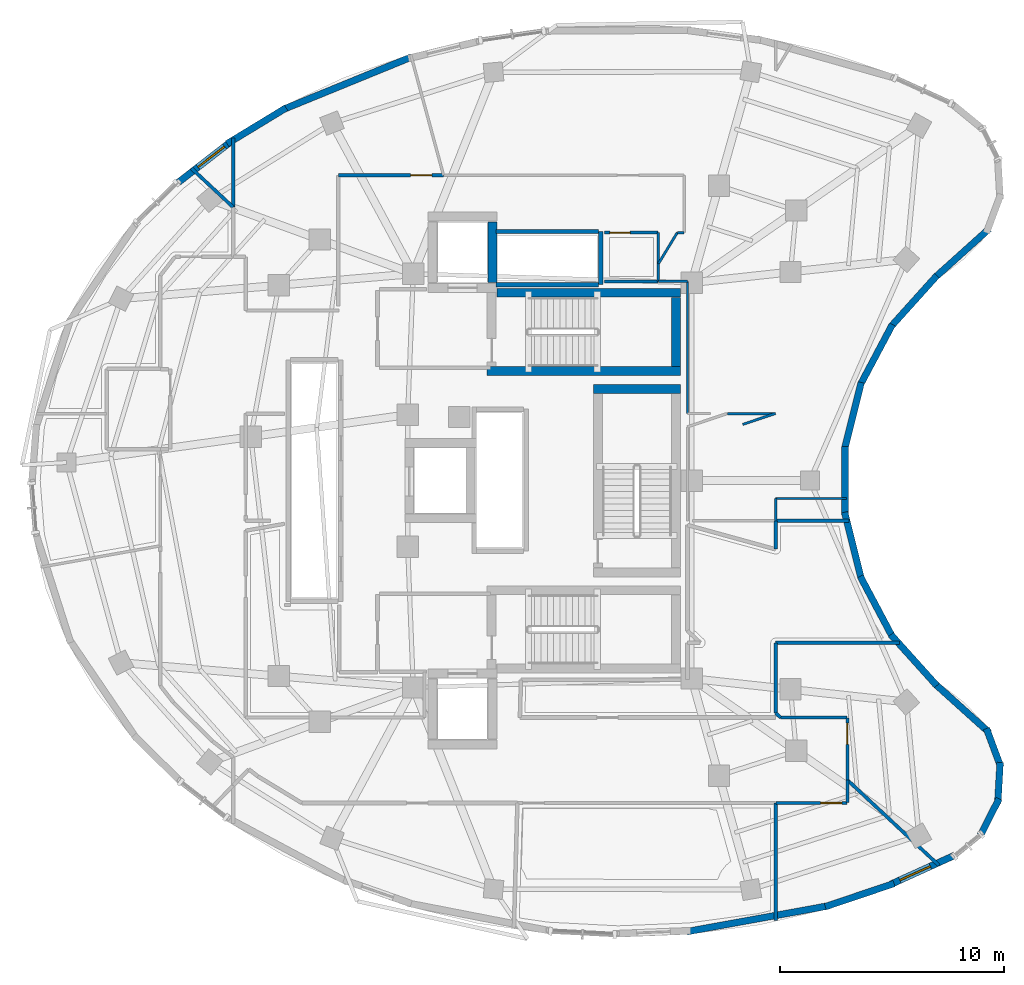
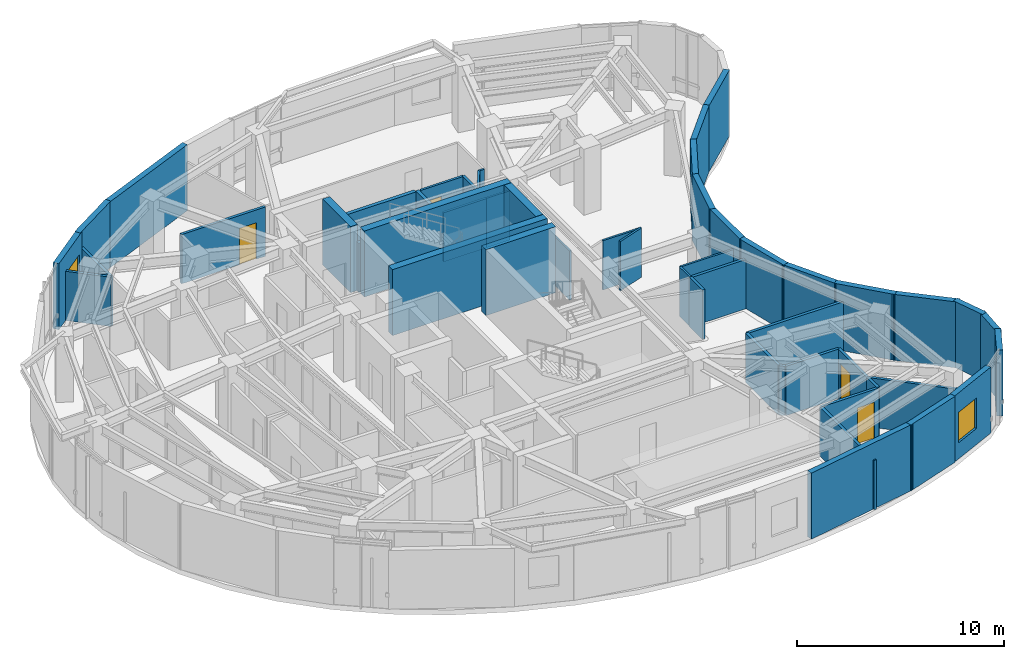
# One storey, part 9 of 13: 51 walls, 4 doors, 2 windows, 6 openings.
"""IFC4 building model written with IfcOpenShell, lengths in metres."""

from ifc_helpers import new_model, si_unit, direction, frame, frame_2d, origin, place, context, subcontext, project, spatial, rectangle, extrude, material, layer, layer_set, type_object, element, fill, save


model = new_model("IFC4")

# Units and contexts
model_context = context("Model", 3, precision=1e-05, world=origin(), true_north=direction((0.0, 1.0)))
body_context = subcontext(model_context, "Body", "Model", "MODEL_VIEW")
ifc_project = project(units=[si_unit("LENGTHUNIT", "METRE"), si_unit("AREAUNIT", "SQUARE_METRE"), si_unit("VOLUMEUNIT", "CUBIC_METRE"), si_unit("PLANEANGLEUNIT", "RADIAN"), si_unit("MASSUNIT", "GRAM", prefix="KILO")], contexts=[model_context])

# Site, building, storey
site_placement = place(None, origin())
site = spatial("IfcSite", under=ifc_project, at=site_placement, CompositionType="ELEMENT")
building_placement = place(site_placement, origin())
building = spatial("IfcBuilding", under=site, at=building_placement, Name="Korentha Bioscience Tower", CompositionType="ELEMENT")
storey_placement = place(building_placement, frame((0.0, 0.0, 260.39990234375)))
storey = spatial("IfcBuildingStorey", under=building, at=storey_placement, Name="L60", CompositionType="ELEMENT", Elevation=260.39990234375)

# Wall, opening, door
ifc_material_1 = material(Name="Double-Stud Acoustic Gypsum", Category="gypsum")
ifc_layer_1 = layer(ifc_material_1, 0.14990234375, Name="Double-Stud Acoustic Gypsum")
ifc_layer_set_1 = layer_set([ifc_layer_1], Name="Double-Stud Acoustic Gypsum (IW-L150)")
wall_type_1 = type_object("IfcWallType", Name="Acoustic Laboratory Partition Wall 150", PredefinedType="PARTITIONING", material=ifc_layer_set_1)
wall_1_placement = place(storey_placement, frame((41.30810546875, 12.590087890625, 0.0), z_axis=(0.0, 0.0, 1.0), x_axis=(1.0, 0.0, 0.0)))
wall_1 = element("IfcWall", 1, at=wall_1_placement, inside=storey, type_object=wall_type_1, Name="L60 HPLC Chromatography Room 06 Entrance Wall", PredefinedType="PARTITIONING", context=body_context, shape_type="SweptSolid", body=[
    extrude(rectangle(XDim=3.19189453125, YDim=0.14990234375, at=frame_2d((1.595947265625, 0.0))), origin(), (0.0, 0.0, 1.0), 2.91015625),
])
opening_1_placement = place(wall_1_placement, frame((2.001953125, 0.0, 0.0)))
opening_1 = element("IfcOpeningElement", 2, at=opening_1_placement, cuts=wall_1, Name="Opening ID-10R", PredefinedType="OPENING", context=body_context, shape_type="SweptSolid", body=[
    extrude(rectangle(XDim=0.949951171875, YDim=2.14990234375, at=frame_2d((0.47509765625, 1.074951171875))), frame((0.0, 0.08984375, 0.0), z_axis=(0.0, -1.0, 0.0), x_axis=(1.0, 0.0, 0.0)), (0.0, 0.0, 1.0), 0.1796875),
])
ifc_material_2 = material(Name="Phenolic Laminate Timber Core", Category="wood")
door_type_1 = type_object("IfcDoorType", Name="Laboratory Single Leaf Door 950x2150 Right", OperationType="SINGLE_SWING_RIGHT", PredefinedType="DOOR", material=ifc_material_2)
door_1_placement = place(opening_1_placement, origin())
door_1 = element("IfcDoor", 3, at=door_1_placement, inside=storey, type_object=door_type_1, Name="L60 HPLC Chromatography Room 06 Door", OperationType="SINGLE_SWING_RIGHT", OverallHeight=2.14990234375, OverallWidth=0.949951171875, PredefinedType="DOOR", context=body_context, shape_type="SweptSolid", body=[
    extrude(rectangle(XDim=0.949951171875, YDim=2.14990234375, at=frame_2d((0.47509765625, 1.074951171875))), frame((0.0, 0.02490234375, 0.0), z_axis=(0.0, -1.0, 0.0), x_axis=(1.0, 0.0, 0.0)), (0.0, 0.0, 1.0), 0.050048828125),
])
fill(opening_1, door_1)

wall_2_placement = place(storey_placement, frame((44.510009765625, 13.625244140625, 0.0), z_axis=(0.0, 0.0, 1.0), x_axis=(0.0, 1.0, 0.0)))
wall_2 = element("IfcWall", 4, at=wall_2_placement, inside=storey, type_object=wall_type_1, Name="L60 Computational Biology Open Studio 08 Entrance Wall", PredefinedType="PARTITIONING", context=body_context, shape_type="SweptSolid", body=[
    extrude(rectangle(XDim=2.774658203125, YDim=0.14990234375, at=frame_2d((1.38720703125, 0.0))), origin(), (0.0, 0.0, 1.0), 2.91015625),
])
opening_2_placement = place(wall_2_placement, frame((1.584716796875, 0.0, 0.0)))
opening_2 = element("IfcOpeningElement", 5, at=opening_2_placement, cuts=wall_2, Name="Opening ID-10R", PredefinedType="OPENING", context=body_context, shape_type="SweptSolid", body=[
    extrude(rectangle(XDim=0.949951171875, YDim=2.14990234375, at=frame_2d((0.47509765625, 1.074951171875))), frame((0.0, 0.08984375, 0.0), z_axis=(0.0, -1.0, 0.0), x_axis=(1.0, 0.0, 0.0)), (0.0, 0.0, 1.0), 0.1796875),
])
door_2_placement = place(opening_2_placement, origin())
door_2 = element("IfcDoor", 6, at=door_2_placement, inside=storey, type_object=door_type_1, Name="L60 Computational Biology Open Studio 08 Door", OperationType="SINGLE_SWING_RIGHT", OverallHeight=2.14990234375, OverallWidth=0.949951171875, PredefinedType="DOOR", context=body_context, shape_type="SweptSolid", body=[
    extrude(rectangle(XDim=0.949951171875, YDim=2.14990234375, at=frame_2d((0.47509765625, 1.074951171875))), frame((0.0, 0.02490234375, 0.0), z_axis=(0.0, -1.0, 0.0), x_axis=(1.0, 0.0, 0.0)), (0.0, 0.0, 1.0), 0.050048828125),
])
fill(opening_2, door_2)

wall_3_placement = place(storey_placement, frame((26.43994140625, 40.659912109375, 0.0), z_axis=(0.0, 0.0, 1.0), x_axis=(-1.0, 0.0, 0.0)))
wall_3 = element("IfcWall", 7, at=wall_3_placement, inside=storey, type_object=wall_type_1, Name="L60 Peer-Review Conference Room 10 Entrance Wall", PredefinedType="PARTITIONING", context=body_context, shape_type="SweptSolid", body=[
    extrude(rectangle(XDim=4.68994140625, YDim=0.14990234375, at=frame_2d((2.344970703125, 0.0))), origin(), (0.0, 0.0, 1.0), 2.91015625),
])
opening_3_placement = place(wall_3_placement, frame((0.51171875, 0.0, 0.0)))
opening_3 = element("IfcOpeningElement", 8, at=opening_3_placement, cuts=wall_3, Name="Opening ID-10R", PredefinedType="OPENING", context=body_context, shape_type="SweptSolid", body=[
    extrude(rectangle(XDim=0.949951171875, YDim=2.14990234375, at=frame_2d((0.47509765625, 1.074951171875))), frame((0.0, 0.08984375, 0.0), z_axis=(0.0, -1.0, 0.0), x_axis=(1.0, 0.0, 0.0)), (0.0, 0.0, 1.0), 0.1796875),
])
door_3_placement = place(opening_3_placement, origin())
door_3 = element("IfcDoor", 9, at=door_3_placement, inside=storey, type_object=door_type_1, Name="L60 Peer-Review Conference Room 10 Door", OperationType="SINGLE_SWING_RIGHT", OverallHeight=2.14990234375, OverallWidth=0.949951171875, PredefinedType="DOOR", context=body_context, shape_type="SweptSolid", body=[
    extrude(rectangle(XDim=0.949951171875, YDim=2.14990234375, at=frame_2d((0.47509765625, 1.074951171875))), frame((0.0, 0.02490234375, 0.0), z_axis=(0.0, -1.0, 0.0), x_axis=(1.0, 0.0, 0.0)), (0.0, 0.0, 1.0), 0.050048828125),
])
fill(opening_3, door_3)

# Walls
wall_4_placement = place(storey_placement, frame((41.298095703125, 12.590087890625, 0.0), z_axis=(0.0, 0.0, 1.0), x_axis=(0.0, -1.0, 0.0)))
element("IfcWall", 10, at=wall_4_placement, inside=storey, type_object=wall_type_1, Name="L60 Interior Partition 040", PredefinedType="PARTITIONING", context=body_context, shape_type="SweptSolid", body=[
    extrude(rectangle(XDim=5.260986328125, YDim=0.14990234375, at=frame_2d((2.63037109375, 0.0))), origin(), (0.0, 0.0, 1.0), 2.91015625),
])
wall_5_placement = place(storey_placement, frame((44.510009765625, 12.60009765625, 0.0), z_axis=(0.0, 0.0, 1.0), x_axis=(0.0, 1.0, 0.0)))
element("IfcWall", 11, at=wall_5_placement, inside=storey, type_object=wall_type_1, Name="L60 Interior Partition 041", PredefinedType="PARTITIONING", context=body_context, shape_type="SweptSolid", body=[
    extrude(rectangle(XDim=1.01513671875, YDim=0.14990234375, at=frame_2d((0.507568359375, 0.0))), origin(), (0.0, 0.0, 1.0), 2.91015625),
])
wall_6_placement = place(storey_placement, frame((44.510009765625, 13.615234375, 0.0), z_axis=(0.0, 0.0, 1.0), x_axis=(0.731351206573, -0.682001035662, 0.0)))
element("IfcWall", 12, at=wall_6_placement, inside=storey, type_object=wall_type_1, Name="L60 Interior Partition 042", PredefinedType="PARTITIONING", context=body_context, shape_type="SweptSolid", body=[
    extrude(rectangle(XDim=5.59521484375, YDim=0.14990234375, at=frame_2d((2.797607421875, 0.0))), origin(), (0.0, 0.0, 1.0), 2.91015625),
])
wall_7_placement = place(storey_placement, frame((44.5, 16.409912109375, 0.0), z_axis=(0.0, 0.0, 1.0), x_axis=(-1.0, 0.0, 0.0)))
element("IfcWall", 13, at=wall_7_placement, inside=storey, type_object=wall_type_1, Name="L60 Interior Partition 054", PredefinedType="PARTITIONING", context=body_context, shape_type="SweptSolid", body=[
    extrude(rectangle(XDim=2.981201171875, YDim=0.14990234375, at=frame_2d((1.49072265625, 0.0))), origin(), (0.0, 0.0, 1.0), 2.91015625),
])
wall_8_placement = place(storey_placement, frame((41.518798828125, 16.409912109375, 0.0), z_axis=(0.0, 0.0, 1.0), x_axis=(-0.730829938628, 0.682559595057, 0.0)))
element("IfcWall", 14, at=wall_8_placement, inside=storey, type_object=wall_type_1, Name="L60 Interior Partition 055", PredefinedType="PARTITIONING", context=body_context, shape_type="SweptSolid", body=[
    extrude(rectangle(XDim=0.288330078125, YDim=0.14990234375, at=frame_2d((0.14404296875, 0.0))), origin(), (0.0, 0.0, 1.0), 2.91015625),
])
wall_9_placement = place(storey_placement, frame((17.052001953125, 39.225830078125, 0.0), z_axis=(0.0, 0.0, 1.0), x_axis=(0.0, 1.0, 0.0)))
element("IfcWall", 15, at=wall_9_placement, inside=storey, type_object=wall_type_1, Name="L60 Interior Partition 073", PredefinedType="PARTITIONING", context=body_context, shape_type="SweptSolid", body=[
    extrude(rectangle(XDim=3.098876953125, YDim=0.14990234375, at=frame_2d((1.54931640625, 0.0))), origin(), (0.0, 0.0, 1.0), 2.91015625),
])
wall_10_placement = place(storey_placement, frame((15.18310546875, 40.963134765625, 0.0), z_axis=(0.0, 0.0, 1.0), x_axis=(0.731313930883, -0.682041006462, 0.0)))
element("IfcWall", 16, at=wall_10_placement, inside=storey, type_object=wall_type_1, Name="L60 Interior Partition 079", PredefinedType="PARTITIONING", context=body_context, shape_type="SweptSolid", body=[
    extrude(rectangle(XDim=2.541748046875, YDim=0.14990234375, at=frame_2d((1.27099609375, 0.0))), origin(), (0.0, 0.0, 1.0), 2.91015625),
])
ifc_material_3 = material(Name="Fire-Rated Framed Glass", Category="glass")
ifc_layer_2 = layer(ifc_material_3, 0.110107421875, Name="Fire-Rated Framed Glass")
ifc_layer_set_2 = layer_set([ifc_layer_2], Name="Fire-Rated Framed Glass (IW-G110)")
wall_type_2 = type_object("IfcWallType", Name="Demountable Glazed Office Partition 110", PredefinedType="MOVABLE", material=ifc_layer_set_2)
wall_11_placement = place(storey_placement, frame((44.479248046875, 26.201904296875, 0.0), z_axis=(0.0, 0.0, 1.0), x_axis=(-1.0, 0.0, 0.0)))
element("IfcWall", 17, at=wall_11_placement, inside=storey, type_object=wall_type_2, Name="L60 Interior Partition 058", PredefinedType="MOVABLE", context=body_context, shape_type="SweptSolid", body=[
    extrude(rectangle(XDim=3.177001953125, YDim=0.110107421875, at=frame_2d((1.58837890625, 0.0))), origin(), (0.0, 0.0, 1.0), 2.91015625),
])
wall_12_placement = place(storey_placement, frame((41.298095703125, 26.19775390625, 0.0), z_axis=(0.0, 0.0, 1.0), x_axis=(0.0, -1.0, 0.0)))
element("IfcWall", 18, at=wall_12_placement, inside=storey, type_object=wall_type_2, Name="L60 Interior Partition 059", PredefinedType="MOVABLE", context=body_context, shape_type="SweptSolid", body=[
    extrude(rectangle(XDim=0.99072265625, YDim=0.110107421875, at=frame_2d((0.495361328125, 0.0))), origin(), (0.0, 0.0, 1.0), 2.91015625),
])
wall_13_placement = place(storey_placement, frame((37.360107421875, 30.001953125, 0.0), z_axis=(0.0, 0.0, 1.0), x_axis=(0.0, 1.0, 0.0)))
element("IfcWall", 19, at=wall_13_placement, inside=storey, type_object=wall_type_2, Name="L60 Interior Partition 064", PredefinedType="MOVABLE", context=body_context, shape_type="SweptSolid", body=[
    extrude(rectangle(XDim=5.89794921875, YDim=0.110107421875, at=frame_2d((2.948974609375, 0.0))), origin(), (0.0, 0.0, 1.0), 2.91015625),
])
wall_14_placement = place(storey_placement, frame((37.35009765625, 35.909912109375, 0.0), z_axis=(0.0, 0.0, 1.0), x_axis=(-1.0, 0.0, 0.0)))
element("IfcWall", 20, at=wall_14_placement, inside=storey, type_object=wall_type_2, Name="L60 Interior Partition 065", PredefinedType="MOVABLE", context=body_context, shape_type="SweptSolid", body=[
    extrude(rectangle(XDim=1.2900390625, YDim=0.110107421875, at=frame_2d((0.64501953125, 0.0))), origin(), (0.0, 0.0, 1.0), 2.91015625),
])
wall_15_placement = place(storey_placement, frame((36.06005859375, 36.70068359375, 0.0), z_axis=(0.0, 0.0, 1.0), x_axis=(0.519499134934, 0.854470975986, 0.0)))
element("IfcWall", 21, at=wall_15_placement, inside=storey, type_object=wall_type_2, Name="L60 Interior Partition 066", PredefinedType="MOVABLE", context=body_context, shape_type="SweptSolid", body=[
    extrude(rectangle(XDim=1.6259765625, YDim=0.110107421875, at=frame_2d((0.81298828125, 0.0))), origin(), (0.0, 0.0, 1.0), 2.91015625),
])
wall_16_placement = place(storey_placement, frame((36.90478515625, 38.090087890625, 0.0), z_axis=(0.0, 0.0, 1.0), x_axis=(1.0, 0.0, 0.0)))
element("IfcWall", 22, at=wall_16_placement, inside=storey, type_object=wall_type_2, Name="L60 Interior Partition 067", PredefinedType="MOVABLE", context=body_context, shape_type="SweptSolid", body=[
    extrude(rectangle(XDim=0.295166015625, YDim=0.110107421875, at=frame_2d((0.1474609375, 0.0))), origin(), (0.0, 0.0, 1.0), 2.91015625),
])
wall_17_placement = place(storey_placement, frame((39.137939453125, 29.998046875, 0.0), z_axis=(0.0, 0.0, 1.0), x_axis=(1.0, 0.0, 0.0)))
element("IfcWall", 23, at=wall_17_placement, inside=storey, type_object=wall_type_2, Name="L60 Interior Partition 070", PredefinedType="MOVABLE", context=body_context, shape_type="SweptSolid", body=[
    extrude(rectangle(XDim=2.159912109375, YDim=0.110107421875, at=frame_2d((1.080078125, 0.0))), origin(), (0.0, 0.0, 1.0), 2.91015625),
])
wall_18_placement = place(storey_placement, frame((41.296630859375, 30.005859375, 0.0), z_axis=(0.0, 0.0, 1.0), x_axis=(-0.94833529206, -0.317269875395, 0.0)))
element("IfcWall", 24, at=wall_18_placement, inside=storey, type_object=wall_type_2, Name="L60 Interior Partition 072", PredefinedType="MOVABLE", context=body_context, shape_type="SweptSolid", body=[
    extrude(rectangle(XDim=1.5458984375, YDim=0.110107421875, at=frame_2d((0.77294921875, 0.0))), origin(), (0.0, 0.0, 1.0), 2.91015625),
])
ifc_material_4 = material(Name="Gypsum-Clad Steel Stud", Category="steel")
ifc_layer_3 = layer(ifc_material_4, 0.159912109375, Name="Gypsum-Clad Steel Stud")
ifc_layer_set_3 = layer_set([ifc_layer_3], Name="Gypsum-Clad Steel Stud (IW-C160)")
wall_type_3 = type_object("IfcWallType", Name="Fire-Rated Corridor Partition Wall 160", PredefinedType="PARTITIONING", material=ifc_layer_set_3)
wall_19_placement = place(storey_placement, frame((41.302001953125, 23.93408203125, 0.0), z_axis=(0.0, 0.0, 1.0), x_axis=(0.0, 1.0, 0.0)))
element("IfcWall", 25, at=wall_19_placement, inside=storey, type_object=wall_type_3, Name="L60 Interior Partition 049", PredefinedType="PARTITIONING", context=body_context, shape_type="SweptSolid", body=[
    extrude(rectangle(XDim=1.263671875, YDim=0.159912109375, at=frame_2d((0.6318359375, 0.0))), origin(), (0.0, 0.0, 1.0), 2.91015625),
])
wall_20_placement = place(storey_placement, frame((41.30224609375, 25.197998046875, 0.0), z_axis=(0.0, 0.0, 1.0), x_axis=(1.0, 0.0, 0.0)))
element("IfcWall", 26, at=wall_20_placement, inside=storey, type_object=wall_type_3, Name="L60 Interior Partition 050", PredefinedType="PARTITIONING", context=body_context, shape_type="SweptSolid", body=[
    extrude(rectangle(XDim=3.27685546875, YDim=0.159912109375, at=frame_2d((1.638427734375, 0.0))), origin(), (0.0, 0.0, 1.0), 2.91015625),
])
wall_21_placement = place(storey_placement, frame((46.826904296875, 19.751953125, 0.0), z_axis=(0.0, 0.0, 1.0), x_axis=(-1.0, 0.0, 0.0)))
element("IfcWall", 27, at=wall_21_placement, inside=storey, type_object=wall_type_3, Name="L60 Interior Partition 051", PredefinedType="PARTITIONING", context=body_context, shape_type="SweptSolid", body=[
    extrude(rectangle(XDim=5.524658203125, YDim=0.159912109375, at=frame_2d((2.76220703125, 0.0))), origin(), (0.0, 0.0, 1.0), 2.91015625),
])
wall_22_placement = place(storey_placement, frame((41.298095703125, 19.747802734375, 0.0), z_axis=(0.0, 0.0, 1.0), x_axis=(0.0, -1.0, 0.0)))
element("IfcWall", 28, at=wall_22_placement, inside=storey, type_object=wall_type_3, Name="L60 Interior Partition 052", PredefinedType="PARTITIONING", context=body_context, shape_type="SweptSolid", body=[
    extrude(rectangle(XDim=3.131591796875, YDim=0.159912109375, at=frame_2d((1.56591796875, 0.0))), origin(), (0.0, 0.0, 1.0), 2.91015625),
])

# Wall, opening, window
ifc_material_5 = material(Name="Honed Limestone Precast Concrete C40", Category="masonry")
ifc_layer_4 = layer(ifc_material_5, 0.300048828125, Name="Honed Limestone Precast Concrete C40")
ifc_layer_set_4 = layer_set([ifc_layer_4], Name="Honed Limestone Precast Concrete C40 (EW-ST300)")
wall_type_4 = type_object("IfcWallType", Name="Honed Limestone Cavity Spandrel Wall 300", PredefinedType="STANDARD", material=ifc_layer_set_4)
wall_23_placement = place(storey_placement, frame((16.91650390625, 42.133544921875, 0.0), z_axis=(0.0, 0.0, 1.0), x_axis=(-0.790517782709, -0.612439086948, 0.0)))
wall_23 = element("IfcWall", 29, at=wall_23_placement, inside=storey, type_object=wall_type_4, Name="L60 Honed Limestone Spandrel Wall 12", PredefinedType="STANDARD", context=body_context, shape_type="SweptSolid", body=[
    extrude(rectangle(XDim=2.962646484375, YDim=0.300048828125, at=frame_2d((1.4814453125, 0.0))), origin(), (0.0, 0.0, 1.0), 3.900146484375),
])
opening_4_placement = place(wall_23_placement, frame((0.320068359375, 0.0, 0.949951171875)))
opening_4 = element("IfcOpeningElement", 30, at=opening_4_placement, cuts=wall_23, Name="Opening WN-02", PredefinedType="OPENING", context=body_context, shape_type="SweptSolid", body=[
    extrude(rectangle(XDim=1.5, YDim=1.800048828125, at=frame_2d((0.75, 0.89990234375))), frame((0.0, 0.1650390625, 0.0), z_axis=(0.0, -1.0, 0.0), x_axis=(1.0, 0.0, 0.0)), (0.0, 0.0, 1.0), 0.329833984375),
])
ifc_material_6 = material(Name="Thermally Broken Aluminium Triple Glazing", Category="aluminium")
window_type = type_object("IfcWindowType", Name="Acoustic Operable Office Window 1500x1800", PartitioningType="DOUBLE_PANEL_VERTICAL", PredefinedType="WINDOW", material=ifc_material_6)
window_1_placement = place(opening_4_placement, origin())
window_1 = element("IfcWindow", 31, at=window_1_placement, inside=storey, type_object=window_type, Name="L60 Facade Window 12", OverallHeight=1.800048828125, OverallWidth=1.5, PartitioningType="DOUBLE_PANEL_VERTICAL", PredefinedType="WINDOW", context=body_context, shape_type="SweptSolid", body=[
    extrude(rectangle(XDim=1.5, YDim=1.800048828125, at=frame_2d((0.75, 0.89990234375))), frame((0.0, 0.030029296875, 0.0), z_axis=(0.0, -1.0, 0.0), x_axis=(1.0, 0.0, 0.0)), (0.0, 0.0, 1.0), 0.06005859375),
])
fill(opening_4, window_1)

wall_24_placement = place(storey_placement, frame((46.44189453125, 8.949951171875, 0.0), z_axis=(0.0, 0.0, 1.0), x_axis=(0.910590214511, 0.413310369137, 0.0)))
wall_24 = element("IfcWall", 32, at=wall_24_placement, inside=storey, type_object=wall_type_4, Name="L60 Honed Limestone Spandrel Wall 36", PredefinedType="STANDARD", context=body_context, shape_type="SweptSolid", body=[
    extrude(rectangle(XDim=3.13720703125, YDim=0.300048828125, at=frame_2d((1.568603515625, 0.0))), origin(), (0.0, 0.0, 1.0), 3.900146484375),
])
opening_5_placement = place(wall_24_placement, frame((0.45068359375, 0.0, 0.949951171875)))
opening_5 = element("IfcOpeningElement", 33, at=opening_5_placement, cuts=wall_24, Name="Opening WN-02", PredefinedType="OPENING", context=body_context, shape_type="SweptSolid", body=[
    extrude(rectangle(XDim=1.5, YDim=1.800048828125, at=frame_2d((0.75, 0.89990234375))), frame((0.0, 0.1650390625, 0.0), z_axis=(0.0, -1.0, 0.0), x_axis=(1.0, 0.0, 0.0)), (0.0, 0.0, 1.0), 0.329833984375),
])
window_2_placement = place(opening_5_placement, origin())
window_2 = element("IfcWindow", 34, at=window_2_placement, inside=storey, type_object=window_type, Name="L60 Facade Window 36", OverallHeight=1.800048828125, OverallWidth=1.5, PartitioningType="DOUBLE_PANEL_VERTICAL", PredefinedType="WINDOW", context=body_context, shape_type="SweptSolid", body=[
    extrude(rectangle(XDim=1.5, YDim=1.800048828125, at=frame_2d((0.75, 0.89990234375))), frame((0.0, 0.030029296875, 0.0), z_axis=(0.0, -1.0, 0.0), x_axis=(1.0, 0.0, 0.0)), (0.0, 0.0, 1.0), 0.06005859375),
])
fill(opening_5, window_2)

# Walls
wall_25_placement = place(storey_placement, frame((25.025146484375, 45.944580078125, 0.0), z_axis=(0.0, 0.0, 1.0), x_axis=(-0.925644837168, -0.378393492841, 0.0)))
element("IfcWall", 35, at=wall_25_placement, inside=storey, type_object=wall_type_4, Name="L60 Limestone Perimeter Closure Wall 09", PredefinedType="STANDARD", context=body_context, shape_type="SweptSolid", body=[
    extrude(rectangle(XDim=6.23583984375, YDim=0.300048828125, at=frame_2d((3.117919921875, 0.0))), origin(), (0.0, 0.0, 1.0), 3.900146484375),
])
wall_26_placement = place(storey_placement, frame((19.4150390625, 43.666748046875, 0.0), z_axis=(0.0, 0.0, 1.0), x_axis=(-0.854500616392, -0.519450379329, 0.0)))
element("IfcWall", 36, at=wall_26_placement, inside=storey, type_object=wall_type_4, Name="L60 Limestone Perimeter Closure Wall 11", PredefinedType="STANDARD", context=body_context, shape_type="SweptSolid", body=[
    extrude(rectangle(XDim=3.0888671875, YDim=0.300048828125, at=frame_2d((1.54443359375, 0.0))), origin(), (0.0, 0.0, 1.0), 3.900146484375),
])
wall_27_placement = place(storey_placement, frame((37.33837890625, 6.83837890625, 0.0), z_axis=(0.0, 0.0, 1.0), x_axis=(0.983805148083, 0.179241263679, 0.0)))
element("IfcWall", 37, at=wall_27_placement, inside=storey, type_object=wall_type_4, Name="L60 Limestone Perimeter Closure Wall 33", PredefinedType="STANDARD", context=body_context, shape_type="SweptSolid", body=[
    extrude(rectangle(XDim=6.46044921875, YDim=0.300048828125, at=frame_2d((3.230224609375, 0.0))), origin(), (0.0, 0.0, 1.0), 3.900146484375),
])
wall_28_placement = place(storey_placement, frame((43.52001953125, 7.951416015625, 0.0), z_axis=(0.0, 0.0, 1.0), x_axis=(0.94763187211, 0.319364736566, 0.0)))
element("IfcWall", 38, at=wall_28_placement, inside=storey, type_object=wall_type_4, Name="L60 Limestone Perimeter Closure Wall 35", PredefinedType="STANDARD", context=body_context, shape_type="SweptSolid", body=[
    extrude(rectangle(XDim=3.24365234375, YDim=0.300048828125, at=frame_2d((1.621826171875, 0.0))), origin(), (0.0, 0.0, 1.0), 3.900146484375),
])
for number, where, z_axis, x_axis, name in (
    (39, (50.451171875, 11.1328125, 0.0), (0.0, 0.0, 1.0), (0.454199826939, 0.890899835677, 0.0), "L60 Limestone Perimeter Closure Wall 38"),
    (40, (51.231689453125, 12.56689453125, 0.0), (0.0, 0.0, 1.0), (0.057400886187, 0.998351209878, 0.0), "L60 Limestone Perimeter Closure Wall 39"),
    (41, (51.369384765625, 14.193603515625, 0.0), (0.0, 0.0, 1.0), (-0.348928688775, 0.937149278477, 0.0), "L60 Limestone Perimeter Closure Wall 40"),
):
    element("IfcWall", number, at=place(storey_placement, frame(where, z_axis=z_axis, x_axis=x_axis)), inside=storey, type_object=wall_type_4, Name=name, PredefinedType="STANDARD", context=body_context, shape_type="SweptSolid", body=[
        extrude(rectangle(XDim=1.841552734375, YDim=0.300048828125, at=frame_2d((0.9208984375, 0.0))), origin(), (0.0, 0.0, 1.0), 3.900146484375),
    ])
wall_29_placement = place(storey_placement, frame((50.8515625, 15.73583984375, 0.0), z_axis=(0.0, 0.0, 1.0), x_axis=(-0.743397410822, 0.668849975393, 0.0)))
element("IfcWall", 42, at=wall_29_placement, inside=storey, type_object=wall_type_4, Name="L60 Limestone Perimeter Closure Wall 41", PredefinedType="STANDARD", context=body_context, shape_type="SweptSolid", body=[
    extrude(rectangle(XDim=3.291259765625, YDim=0.300048828125, at=frame_2d((1.6455078125, 0.0))), origin(), (0.0, 0.0, 1.0), 3.900146484375),
])
wall_30_placement = place(storey_placement, frame((48.507568359375, 17.834716796875, 0.0), z_axis=(0.0, 0.0, 1.0), x_axis=(-0.669127242861, 0.743147853971, 0.0)))
element("IfcWall", 43, at=wall_30_placement, inside=storey, type_object=wall_type_4, Name="L60 Limestone Perimeter Closure Wall 43", PredefinedType="STANDARD", context=body_context, shape_type="SweptSolid", body=[
    extrude(rectangle(XDim=3.07080078125, YDim=0.300048828125, at=frame_2d((1.535400390625, 0.0))), origin(), (0.0, 0.0, 1.0), 3.900146484375),
])
wall_31_placement = place(storey_placement, frame((46.5244140625, 20.014404296875, 0.0), z_axis=(0.0, 0.0, 1.0), x_axis=(-0.469494296004, 0.882935505017, 0.0)))
element("IfcWall", 44, at=wall_31_placement, inside=storey, type_object=wall_type_4, Name="L60 Limestone Perimeter Closure Wall 45", PredefinedType="STANDARD", context=body_context, shape_type="SweptSolid", body=[
    extrude(rectangle(XDim=3.070556640625, YDim=0.300048828125, at=frame_2d((1.53515625, 0.0))), origin(), (0.0, 0.0, 1.0), 3.900146484375),
])
wall_32_placement = place(storey_placement, frame((45.12744140625, 22.609130859375, 0.0), z_axis=(0.0, 0.0, 1.0), x_axis=(-0.241880750878, 0.970305983881, 0.0)))
element("IfcWall", 45, at=wall_32_placement, inside=storey, type_object=wall_type_4, Name="L60 Limestone Perimeter Closure Wall 47", PredefinedType="STANDARD", context=body_context, shape_type="SweptSolid", body=[
    extrude(rectangle(XDim=3.0703125, YDim=0.300048828125, at=frame_2d((1.53515625, 0.0))), origin(), (0.0, 0.0, 1.0), 3.900146484375),
])
wall_33_placement = place(storey_placement, frame((44.39990234375, 25.464599609375, 0.0), z_axis=(0.0, 0.0, 1.0), x_axis=(0.0, 1.0, 0.0)))
element("IfcWall", 46, at=wall_33_placement, inside=storey, type_object=wall_type_4, Name="L60 Limestone Perimeter Closure Wall 49", PredefinedType="STANDARD", context=body_context, shape_type="SweptSolid", body=[
    extrude(rectangle(XDim=3.07080078125, YDim=0.300048828125, at=frame_2d((1.535400390625, 0.0))), origin(), (0.0, 0.0, 1.0), 3.900146484375),
])
wall_34_placement = place(storey_placement, frame((44.384765625, 28.41162109375, 0.0), z_axis=(0.0, 0.0, 1.0), x_axis=(0.241880750878, 0.970305983881, 0.0)))
element("IfcWall", 47, at=wall_34_placement, inside=storey, type_object=wall_type_4, Name="L60 Limestone Perimeter Closure Wall 51", PredefinedType="STANDARD", context=body_context, shape_type="SweptSolid", body=[
    extrude(rectangle(XDim=3.0703125, YDim=0.300048828125, at=frame_2d((1.53515625, 0.0))), origin(), (0.0, 0.0, 1.0), 3.900146484375),
])
wall_35_placement = place(storey_placement, frame((45.082763671875, 31.2744140625, 0.0), z_axis=(0.0, 0.0, 1.0), x_axis=(0.469494296004, 0.882935505017, 0.0)))
element("IfcWall", 48, at=wall_35_placement, inside=storey, type_object=wall_type_4, Name="L60 Limestone Perimeter Closure Wall 53", PredefinedType="STANDARD", context=body_context, shape_type="SweptSolid", body=[
    extrude(rectangle(XDim=3.070556640625, YDim=0.300048828125, at=frame_2d((1.53515625, 0.0))), origin(), (0.0, 0.0, 1.0), 3.900146484375),
])
wall_36_placement = place(storey_placement, frame((46.452880859375, 33.88330078125, 0.0), z_axis=(0.0, 0.0, 1.0), x_axis=(0.669127242861, 0.743147853971, 0.0)))
element("IfcWall", 49, at=wall_36_placement, inside=storey, type_object=wall_type_4, Name="L60 Limestone Perimeter Closure Wall 55", PredefinedType="STANDARD", context=body_context, shape_type="SweptSolid", body=[
    extrude(rectangle(XDim=3.07080078125, YDim=0.300048828125, at=frame_2d((1.535400390625, 0.0))), origin(), (0.0, 0.0, 1.0), 3.900146484375),
])
wall_37_placement = place(storey_placement, frame((48.40478515625, 36.062744140625, 0.0), z_axis=(0.0, 0.0, 1.0), x_axis=(0.743397410822, 0.668849975393, 0.0)))
element("IfcWall", 50, at=wall_37_placement, inside=storey, type_object=wall_type_4, Name="L60 Limestone Perimeter Closure Wall 57", PredefinedType="STANDARD", context=body_context, shape_type="SweptSolid", body=[
    extrude(rectangle(XDim=3.291259765625, YDim=0.300048828125, at=frame_2d((1.6455078125, 0.0))), origin(), (0.0, 0.0, 1.0), 3.900146484375),
])
ifc_material_7 = material(Name="Autoclaved Aerated Concrete Block C25", Category="concrete")
ifc_layer_5 = layer(ifc_material_7, 0.199951171875, Name="Autoclaved Aerated Concrete Block C25")
ifc_layer_set_5 = layer_set([ifc_layer_5], Name="Autoclaved Aerated Concrete Block C25 (IW-S200)")
wall_type_5 = type_object("IfcWallType", Name="Lift and Riser Shaft Enclosure Wall 200", PredefinedType="PARTITIONING", material=ifc_layer_set_5)
wall_38_placement = place(storey_placement, frame((33.489990234375, 35.760009765625, 0.0), z_axis=(0.0, 0.0, 1.0), x_axis=(0.0, 1.0, 0.0)))
element("IfcWall", 51, at=wall_38_placement, inside=storey, type_object=wall_type_5, Name="L60 Lift Bank OBS Shaft Wall +X", PredefinedType="PARTITIONING", context=body_context, shape_type="SweptSolid", body=[
    extrude(rectangle(XDim=2.3798828125, YDim=0.199951171875, at=frame_2d((1.18994140625, 0.0))), origin(), (0.0, 0.0, 1.0), 2.91015625),
])
for number, where, z_axis, x_axis, name in (
    (52, (28.800048828125, 35.760009765625, 0.0), (0.0, 0.0, 1.0), (1.0, 0.0, 0.0), "L60 Lift Bank OBS Shaft Wall -Y"),
    (53, (28.800048828125, 38.139892578125, 0.0), (0.0, 0.0, 1.0), (1.0, 0.0, 0.0), "L60 Lift Bank OBS Shaft Wall +Y"),
):
    element("IfcWall", number, at=place(storey_placement, frame(where, z_axis=z_axis, x_axis=x_axis)), inside=storey, type_object=wall_type_5, Name=name, PredefinedType="PARTITIONING", context=body_context, shape_type="SweptSolid", body=[
        extrude(rectangle(XDim=4.570068359375, YDim=0.199951171875, at=frame_2d((2.28515625, 0.0))), origin(), (0.0, 0.0, 1.0), 2.91015625),
    ])
ifc_material_8 = material(Name="Concrete C65", Category="concrete")
ifc_layer_6 = layer(ifc_material_8, 0.39990234375, Name="Concrete C65")
ifc_layer_set_6 = layer_set([ifc_layer_6], Name="Concrete C65 (CW-C65)")
wall_type_6 = type_object("IfcWallType", Name="Mid-Rise Core Shear Wall 400", PredefinedType="SHEAR", material=ifc_layer_set_6)
wall_39_placement = place(storey_placement, frame((28.85205078125, 35.39990234375, 0.0), z_axis=(0.0, 0.0, 1.0), x_axis=(1.0, 0.0, 0.0)))
element("IfcWall", 54, at=wall_39_placement, inside=storey, type_object=wall_type_6, Name="L60 Core Shear Wall ST1-N", PredefinedType="SHEAR", context=body_context, shape_type="SweptSolid", body=[
    extrude(rectangle(XDim=8.197998046875, YDim=0.39990234375, at=frame_2d((4.09912109375, 0.0))), origin(), (0.0, 0.0, 1.0), 3.900146484375),
])
wall_40_placement = place(storey_placement, frame((28.39990234375, 31.89990234375, 0.0), z_axis=(0.0, 0.0, 1.0), x_axis=(1.0, 0.0, 0.0)))
element("IfcWall", 55, at=wall_40_placement, inside=storey, type_object=wall_type_6, Name="L60 Core Shear Wall ST1-S", PredefinedType="SHEAR", context=body_context, shape_type="SweptSolid", body=[
    extrude(rectangle(XDim=8.650146484375, YDim=0.39990234375, at=frame_2d((4.3251953125, 0.0))), origin(), (0.0, 0.0, 1.0), 3.900146484375),
])
wall_41_placement = place(storey_placement, frame((36.85009765625, 32.110107421875, 0.0), z_axis=(0.0, 0.0, 1.0), x_axis=(0.0, 1.0, 0.0)))
element("IfcWall", 56, at=wall_41_placement, inside=storey, type_object=wall_type_6, Name="L60 Core Shear Wall ST1-E", PredefinedType="SHEAR", context=body_context, shape_type="SweptSolid", body=[
    extrude(rectangle(XDim=3.079833984375, YDim=0.39990234375, at=frame_2d((1.5400390625, 0.0))), origin(), (0.0, 0.0, 1.0), 3.900146484375),
])
wall_42_placement = place(storey_placement, frame((33.14990234375, 31.10009765625, 0.0), z_axis=(0.0, 0.0, 1.0), x_axis=(1.0, 0.0, 0.0)))
element("IfcWall", 57, at=wall_42_placement, inside=storey, type_object=wall_type_6, Name="L60 Core Shear Wall ST3-N", PredefinedType="SHEAR", context=body_context, shape_type="SweptSolid", body=[
    extrude(rectangle(XDim=3.900146484375, YDim=0.39990234375, at=frame_2d((1.9501953125, 0.0))), origin(), (0.0, 0.0, 1.0), 3.900146484375),
])
wall_43_placement = place(storey_placement, frame((28.64990234375, 35.860107421875, 0.0), z_axis=(0.0, 0.0, 1.0), x_axis=(0.0, 1.0, 0.0)))
element("IfcWall", 58, at=wall_43_placement, inside=storey, type_object=wall_type_6, Name="L60 Core Shear Wall FFL2-E", PredefinedType="SHEAR", context=body_context, shape_type="SweptSolid", body=[
    extrude(rectangle(XDim=2.699951171875, YDim=0.39990234375, at=frame_2d((1.35009765625, 0.0))), origin(), (0.0, 0.0, 1.0), 3.900146484375),
])

# Wall, opening, door
ifc_material_9 = material(Name="Cement-Board Steel Stud", Category="steel")
ifc_layer_7 = layer(ifc_material_9, 0.1298828125, Name="Cement-Board Steel Stud")
ifc_layer_set_7 = layer_set([ifc_layer_7], Name="Cement-Board Steel Stud (IW-W130)")
wall_type_7 = type_object("IfcWallType", Name="Wet-Area Moisture-Resistant Partition 130", PredefinedType="PARTITIONING", material=ifc_layer_set_7)
wall_44_placement = place(storey_placement, frame((33.64990234375, 38.090087890625, 0.0), z_axis=(0.0, 0.0, 1.0), x_axis=(1.0, 0.0, 0.0)))
wall_44 = element("IfcWall", 59, at=wall_44_placement, inside=storey, type_object=wall_type_7, Name="L60 Accessible Staff WC Entrance Wall", PredefinedType="PARTITIONING", context=body_context, shape_type="SweptSolid", body=[
    extrude(rectangle(XDim=2.400146484375, YDim=0.1298828125, at=frame_2d((1.2001953125, 0.0))), origin(), (0.0, 0.0, 1.0), 2.91015625),
])
opening_6_placement = place(wall_44_placement, frame((0.239990234375, 0.0, 0.0)))
opening_6 = element("IfcOpeningElement", 60, at=opening_6_placement, cuts=wall_44, Name="Opening ID-09L", PredefinedType="OPENING", context=body_context, shape_type="SweptSolid", body=[
    extrude(rectangle(XDim=0.89990234375, YDim=2.14990234375, at=frame_2d((0.449951171875, 1.074951171875))), frame((0.0, 0.079833984375, 0.0), z_axis=(0.0, -1.0, 0.0), x_axis=(1.0, 0.0, 0.0)), (0.0, 0.0, 1.0), 0.15966796875),
])
ifc_material_10 = material(Name="Moisture-Resistant HPL Leaf", Category="wood")
door_type_2 = type_object("IfcDoorType", Name="Restroom & Accessible WC Door 900x2150 Left", OperationType="SINGLE_SWING_LEFT", PredefinedType="DOOR", material=ifc_material_10)
door_4_placement = place(opening_6_placement, origin())
door_4 = element("IfcDoor", 61, at=door_4_placement, inside=storey, type_object=door_type_2, Name="L60 Accessible Staff WC Door", OperationType="SINGLE_SWING_LEFT", OverallHeight=2.14990234375, OverallWidth=0.89990234375, PredefinedType="DOOR", context=body_context, shape_type="SweptSolid", body=[
    extrude(rectangle(XDim=0.89990234375, YDim=2.14990234375, at=frame_2d((0.449951171875, 1.074951171875))), frame((0.0, 0.02490234375, 0.0), z_axis=(0.0, -1.0, 0.0), x_axis=(1.0, 0.0, 0.0)), (0.0, 0.0, 1.0), 0.050048828125),
])
fill(opening_6, door_4)

# Walls
wall_45_placement = place(storey_placement, frame((36.050048828125, 35.909912109375, 0.0), z_axis=(0.0, 0.0, 1.0), x_axis=(-1.0, 0.0, 0.0)))
element("IfcWall", 62, at=wall_45_placement, inside=storey, type_object=wall_type_7, Name="L60 Interior Partition 015", PredefinedType="PARTITIONING", context=body_context, shape_type="SweptSolid", body=[
    extrude(rectangle(XDim=2.400146484375, YDim=0.1298828125, at=frame_2d((1.2001953125, 0.0))), origin(), (0.0, 0.0, 1.0), 2.91015625),
])
wall_46_placement = place(storey_placement, frame((36.050048828125, 38.090087890625, 0.0), z_axis=(0.0, 0.0, 1.0), x_axis=(0.0, -1.0, 0.0)))
element("IfcWall", 63, at=wall_46_placement, inside=storey, type_object=wall_type_7, Name="L60 Interior Partition 016", PredefinedType="PARTITIONING", context=body_context, shape_type="SweptSolid", body=[
    extrude(rectangle(XDim=2.18017578125, YDim=0.1298828125, at=frame_2d((1.090087890625, 0.0))), origin(), (0.0, 0.0, 1.0), 2.91015625),
])

save(model, "model.ifc")
